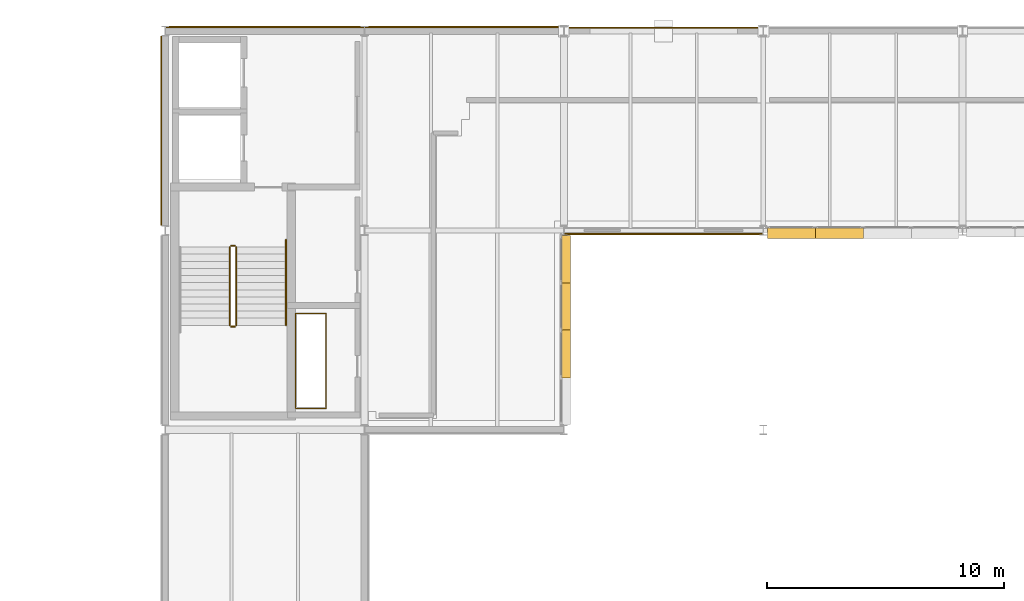
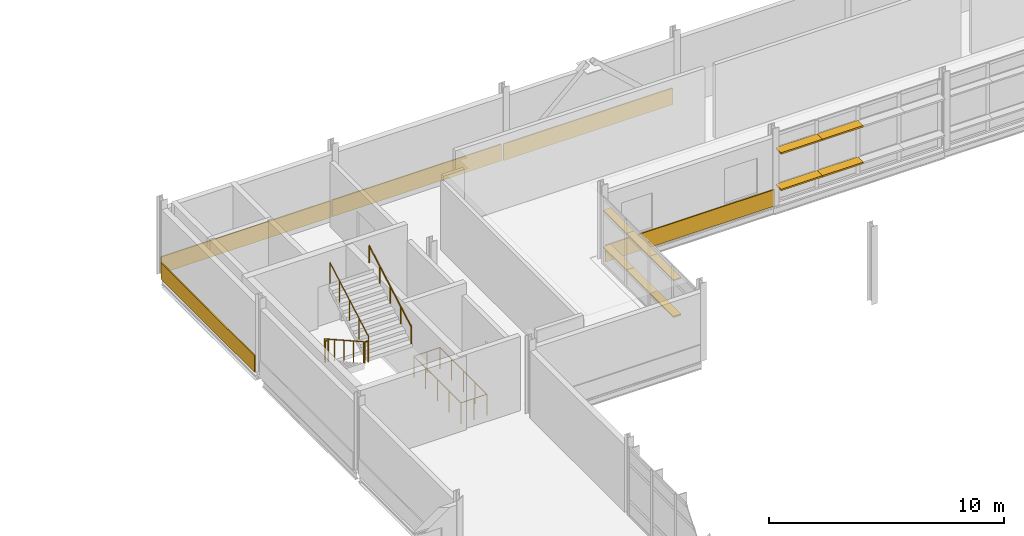
# One storey, part 94 of 103: 10 shading devices, 6 railings, 5 coverings.
"""IFC4 building model written with IfcOpenShell, lengths in metres."""

from ifc_helpers import new_model, si_unit, direction, frame, origin, origin_2d, place, context, subcontext, project, spatial, rectangle, circle, extrude, material, layer, layer_set, type_object, element, save


model = new_model("IFC4")

# Units and contexts
model_context = context("Model", 3, precision=1e-05, world=origin(), true_north=direction((0.0, 1.0)))
body_context = subcontext(model_context, "Body", "Model", "MODEL_VIEW")
ifc_project = project(units=[si_unit("LENGTHUNIT", "METRE"), si_unit("AREAUNIT", "SQUARE_METRE"), si_unit("VOLUMEUNIT", "CUBIC_METRE"), si_unit("PLANEANGLEUNIT", "RADIAN"), si_unit("MASSUNIT", "GRAM", prefix="KILO")], contexts=[model_context])

# Site, building, storey
site_placement = place(None, origin())
site = spatial("IfcSite", under=ifc_project, at=site_placement, CompositionType="ELEMENT")
building_placement = place(site_placement, origin())
building = spatial("IfcBuilding", under=site, at=building_placement, Name="Mersafa Astral City Hall", CompositionType="ELEMENT")
storey_placement = place(building_placement, frame((0.0, 0.0, 18.0)))
storey = spatial("IfcBuildingStorey", under=building, at=storey_placement, Name="L04", CompositionType="ELEMENT", Elevation=18.0)

# Coverings
ifc_material_1 = material(Name="Cairo Mokattam buff limestone cladding", Category="masonry")
ifc_layer = layer(ifc_material_1, 0.06005859375, Name="Cairo Mokattam buff limestone cladding")
ifc_layer_set = layer_set([ifc_layer], Name="Cairo Mokattam buff limestone cladding — ENV-COV-LIMESTONE-60")
covering_type = type_object("IfcCoveringType", Name="ENV-COV-LIMESTONE-60", PredefinedType="CLADDING", material=ifc_layer_set)
for number, where, z_axis, x_axis, name in (
    (1, (63.0, 126.139404296875, 0.0), (0.0, 0.0, 1.0), (-1.0, 0.0, 0.0), "L04 Cairo buff limestone rainscreen cladding 290"),
    (2, (54.60009765625, 126.177001953125, 0.0), (0.0, 0.0, 1.0), (-1.0, 0.0, 0.0), "L04 Cairo buff limestone rainscreen cladding 291"),
    (3, (46.199951171875, 126.16943359375, 0.0), (0.0, 0.0, 1.0), (-1.0, 0.0, 0.0), "L04 Cairo buff limestone rainscreen cladding 292"),
):
    element("IfcCovering", number, at=place(storey_placement, frame(where, z_axis=z_axis, x_axis=x_axis)), inside=storey, type_object=covering_type, Name=name, PredefinedType="CLADDING", context=body_context, shape_type="SweptSolid", body=[
        extrude(rectangle(XDim=8.323974609375, YDim=0.06005859375, at=origin_2d()), origin(), (0.0, 0.0, 1.0), 0.860107421875),
    ])
covering_1_placement = place(storey_placement, frame((41.837890625, 121.800048828125, 0.0), z_axis=(0.0, 0.0, 1.0), x_axis=(0.0, -1.0, 0.0)))
element("IfcCovering", 4, at=covering_1_placement, inside=storey, type_object=covering_type, Name="L04 Cairo buff limestone rainscreen cladding 293", PredefinedType="CLADDING", context=body_context, shape_type="SweptSolid", body=[
    extrude(rectangle(XDim=7.947998046875, YDim=0.06005859375, at=origin_2d()), origin(), (0.0, 0.0, 1.0), 0.860107421875),
])
covering_2_placement = place(storey_placement, frame((63.0, 117.452880859375, 0.0), z_axis=(0.0, 0.0, 1.0), x_axis=(1.0, 0.0, 0.0)))
element("IfcCovering", 5, at=covering_2_placement, inside=storey, type_object=covering_type, Name="L04 Cairo buff limestone rainscreen cladding 307", PredefinedType="CLADDING", context=body_context, shape_type="SweptSolid", body=[
    extrude(rectangle(XDim=8.323974609375, YDim=0.06005859375, at=origin_2d()), origin(), (0.0, 0.0, 1.0), 0.860107421875),
])

# Shading devices
ifc_material_2 = material(Name="Kiln-dried cedar timber brise-soleil blade", Category="wood")
shading_device_type_1 = type_object("IfcShadingDeviceType", Name="ENV-SHD-LOUVRE-380", PredefinedType="JALOUSIE", material=ifc_material_2)
for number, where, z_axis, x_axis, name in (
    (6, (58.8798828125, 112.403076171875, 0.81494140625), (0.0, 0.0, 1.0), (0.0, 1.0, 0.0), "L04 Horizontal cedar brise-soleil louvre 1282"),
    (7, (58.8798828125, 114.39697265625, 0.81494140625), (0.0, 0.0, 1.0), (0.0, 1.0, 0.0), "L04 Horizontal cedar brise-soleil louvre 1283"),
):
    element("IfcShadingDevice", number, at=place(storey_placement, frame(where, z_axis=z_axis, x_axis=x_axis)), inside=storey, type_object=shading_device_type_1, Name=name, PredefinedType="JALOUSIE", context=body_context, shape_type="SweptSolid", body=[
        extrude(rectangle(XDim=2.033935546875, YDim=0.3798828125, at=origin_2d()), origin(), (0.0, 0.0, 1.0), 0.070068359375),
    ])
shading_device_1_placement = place(storey_placement, frame((58.8798828125, 116.3759765625, 0.81494140625), z_axis=(0.0, 0.0, 1.0), x_axis=(0.0, 1.0, 0.0)))
element("IfcShadingDevice", 8, at=shading_device_1_placement, inside=storey, type_object=shading_device_type_1, Name="L04 Horizontal cedar brise-soleil louvre 1284", PredefinedType="JALOUSIE", context=body_context, shape_type="SweptSolid", body=[
    extrude(rectangle(XDim=2.00390625, YDim=0.3798828125, at=origin_2d()), origin(), (0.0, 0.0, 1.0), 0.070068359375),
])
for number, where, z_axis, x_axis, name in (
    (9, (58.8798828125, 112.403076171875, 2.71484375), (0.0, 0.0, 1.0), (0.0, 1.0, 0.0), "L04 Horizontal cedar brise-soleil louvre 1286"),
    (10, (58.8798828125, 114.39697265625, 2.71484375), (0.0, 0.0, 1.0), (0.0, 1.0, 0.0), "L04 Horizontal cedar brise-soleil louvre 1287"),
):
    element("IfcShadingDevice", number, at=place(storey_placement, frame(where, z_axis=z_axis, x_axis=x_axis)), inside=storey, type_object=shading_device_type_1, Name=name, PredefinedType="JALOUSIE", context=body_context, shape_type="SweptSolid", body=[
        extrude(rectangle(XDim=2.033935546875, YDim=0.3798828125, at=origin_2d()), origin(), (0.0, 0.0, 1.0), 0.070068359375),
    ])
shading_device_2_placement = place(storey_placement, frame((58.8798828125, 116.3759765625, 2.71484375), z_axis=(0.0, 0.0, 1.0), x_axis=(0.0, 1.0, 0.0)))
element("IfcShadingDevice", 11, at=shading_device_2_placement, inside=storey, type_object=shading_device_type_1, Name="L04 Horizontal cedar brise-soleil louvre 1288", PredefinedType="JALOUSIE", context=body_context, shape_type="SweptSolid", body=[
    extrude(rectangle(XDim=2.00390625, YDim=0.3798828125, at=origin_2d()), origin(), (0.0, 0.0, 1.0), 0.070068359375),
])
shading_device_type_2 = type_object("IfcShadingDeviceType", Name="ENV-SHD-LOUVRE-450", PredefinedType="JALOUSIE", material=ifc_material_2)
shading_device_3_placement = place(storey_placement, frame((68.386474609375, 117.485107421875, 0.81005859375), z_axis=(0.0, 0.0, 1.0), x_axis=(1.0, 0.0, 0.0)))
element("IfcShadingDevice", 12, at=shading_device_3_placement, inside=storey, type_object=shading_device_type_2, Name="L04 Horizontal cedar brise-soleil louvre 1289", PredefinedType="JALOUSIE", context=body_context, shape_type="SweptSolid", body=[
    extrude(rectangle(XDim=2.029052734375, YDim=0.449951171875, at=origin_2d()), origin(), (0.0, 0.0, 1.0), 0.080078125),
])
shading_device_4_placement = place(storey_placement, frame((70.390380859375, 117.485107421875, 0.81005859375), z_axis=(0.0, 0.0, 1.0), x_axis=(1.0, 0.0, 0.0)))
element("IfcShadingDevice", 13, at=shading_device_4_placement, inside=storey, type_object=shading_device_type_2, Name="L04 Horizontal cedar brise-soleil louvre 1290", PredefinedType="JALOUSIE", context=body_context, shape_type="SweptSolid", body=[
    extrude(rectangle(XDim=2.05908203125, YDim=0.449951171875, at=origin_2d()), origin(), (0.0, 0.0, 1.0), 0.080078125),
])
shading_device_5_placement = place(storey_placement, frame((68.386474609375, 117.485107421875, 2.7099609375), z_axis=(0.0, 0.0, 1.0), x_axis=(1.0, 0.0, 0.0)))
element("IfcShadingDevice", 14, at=shading_device_5_placement, inside=storey, type_object=shading_device_type_2, Name="L04 Horizontal cedar brise-soleil louvre 1293", PredefinedType="JALOUSIE", context=body_context, shape_type="SweptSolid", body=[
    extrude(rectangle(XDim=2.029052734375, YDim=0.449951171875, at=origin_2d()), origin(), (0.0, 0.0, 1.0), 0.080078125),
])
shading_device_6_placement = place(storey_placement, frame((70.390380859375, 117.485107421875, 2.7099609375), z_axis=(0.0, 0.0, 1.0), x_axis=(1.0, 0.0, 0.0)))
element("IfcShadingDevice", 15, at=shading_device_6_placement, inside=storey, type_object=shading_device_type_2, Name="L04 Horizontal cedar brise-soleil louvre 1294", PredefinedType="JALOUSIE", context=body_context, shape_type="SweptSolid", body=[
    extrude(rectangle(XDim=2.05908203125, YDim=0.449951171875, at=origin_2d()), origin(), (0.0, 0.0, 1.0), 0.080078125),
])

# Railings
ifc_material_3 = material(Name="Painted architectural steel stair guard balustrade", Category="steel")
railing_type_1 = type_object("IfcRailingType", Name="GUARD-RAIL", PredefinedType="BALUSTRADE", material=ifc_material_3)
railing_1_placement = place(storey_placement, frame((44.72998046875, 116.89990234375, 0.168701171875)))
element("IfcRailing", 16, at=railing_1_placement, inside=storey, type_object=railing_type_1, Name="L04 ST3 stair guard 1", PredefinedType="BALUSTRADE", context=body_context, shape_type="SweptSolid", body=[
    extrude(circle(Radius=0.02392578125, at=origin_2d()), frame((0.0, 0.0, 1.09619140625), z_axis=(0.0, -0.871568648517, 0.490273485845), x_axis=(1.0, 0.0, 0.0)), (0.0, 0.0, 1.0), 3.7861328125),
    extrude(circle(Radius=0.02099609375, at=origin_2d()), origin(), (0.0, 0.0, 1.0), 1.072021484375),
    extrude(circle(Radius=0.02099609375, at=origin_2d()), frame((0.0, -0.824951171875, 0.464111328125)), (0.0, 0.0, 1.0), 1.072021484375),
    extrude(circle(Radius=0.02099609375, at=origin_2d()), frame((0.0, -1.64990234375, 0.92822265625)), (0.0, 0.0, 1.0), 1.072021484375),
    extrude(circle(Radius=0.02099609375, at=origin_2d()), frame((0.0, -2.474853515625, 1.39208984375)), (0.0, 0.0, 1.0), 1.072021484375),
    extrude(circle(Radius=0.02099609375, at=origin_2d()), frame((0.0, -3.2998046875, 1.856201171875)), (0.0, 0.0, 1.0), 1.072021484375),
])
railing_2_placement = place(storey_placement, frame((44.780029296875, 113.550048828125, 2.02490234375)))
element("IfcRailing", 17, at=railing_2_placement, inside=storey, type_object=railing_type_1, Name="L04 ST3 stair guard 2", PredefinedType="BALUSTRADE", context=body_context, shape_type="SweptSolid", body=[
    extrude(circle(Radius=0.02392578125, at=origin_2d()), frame((0.0, 0.0, 1.09619140625), z_axis=(1.0, 0.0, 0.0), x_axis=(0.0, 1.0, 0.0)), (0.0, 0.0, 1.0), 0.159912109375),
    extrude(circle(Radius=0.02099609375, at=origin_2d()), origin(), (0.0, 0.0, 1.0), 1.072021484375),
    extrude(circle(Radius=0.02099609375, at=origin_2d()), frame((0.159912109375, 0.0, 0.0)), (0.0, 0.0, 1.0), 1.072021484375),
])
railing_3_placement = place(storey_placement, frame((44.989990234375, 113.60009765625, 2.19384765625)))
element("IfcRailing", 18, at=railing_3_placement, inside=storey, type_object=railing_type_1, Name="L04 ST3 stair guard 3", PredefinedType="BALUSTRADE", context=body_context, shape_type="SweptSolid", body=[
    extrude(circle(Radius=0.02392578125, at=origin_2d()), frame((0.0, 0.0, 1.09619140625), z_axis=(0.0, 0.871568648517, 0.490273485845), x_axis=(-1.0, 0.0, 0.0)), (0.0, 0.0, 1.0), 3.7861328125),
    extrude(circle(Radius=0.02099609375, at=origin_2d()), origin(), (0.0, 0.0, 1.0), 1.072021484375),
    extrude(circle(Radius=0.02099609375, at=origin_2d()), frame((0.0, 0.824951171875, 0.464111328125)), (0.0, 0.0, 1.0), 1.072021484375),
    extrude(circle(Radius=0.02099609375, at=origin_2d()), frame((0.0, 1.64990234375, 0.92822265625)), (0.0, 0.0, 1.0), 1.072021484375),
    extrude(circle(Radius=0.02099609375, at=origin_2d()), frame((0.0, 2.474853515625, 1.39208984375)), (0.0, 0.0, 1.0), 1.072021484375),
    extrude(circle(Radius=0.02099609375, at=origin_2d()), frame((0.0, 3.2998046875, 1.856201171875)), (0.0, 0.0, 1.0), 1.072021484375),
])
railing_4_placement = place(storey_placement, frame((44.780029296875, 116.949951171875, 0.0)))
element("IfcRailing", 19, at=railing_4_placement, inside=storey, type_object=railing_type_1, Name="L04 ST3 stair guard 4", PredefinedType="BALUSTRADE", context=body_context, shape_type="SweptSolid", body=[
    extrude(circle(Radius=0.02392578125, at=origin_2d()), frame((0.0, 0.0, 1.09619140625), z_axis=(1.0, 0.0, 0.0), x_axis=(0.0, 1.0, 0.0)), (0.0, 0.0, 1.0), 0.159912109375),
    extrude(circle(Radius=0.02099609375, at=origin_2d()), origin(), (0.0, 0.0, 1.0), 1.072021484375),
    extrude(circle(Radius=0.02099609375, at=origin_2d()), frame((0.159912109375, 0.0, 0.0)), (0.0, 0.0, 1.0), 1.072021484375),
])
railing_5_placement = place(storey_placement, frame((47.5, 110.10009765625, 0.0)))
element("IfcRailing", 20, at=railing_5_placement, inside=storey, type_object=railing_type_1, Name="L04 K3 MEP Riser Shaft Guard", PredefinedType="BALUSTRADE", context=body_context, shape_type="SweptSolid", body=[
    extrude(circle(Radius=0.02392578125, at=origin_2d()), frame((0.0, 0.0, 1.09619140625), z_axis=(1.0, 0.0, 0.0), x_axis=(0.0, 1.0, 0.0)), (0.0, 0.0, 1.0), 1.280029296875),
    extrude(circle(Radius=0.02392578125, at=origin_2d()), frame((1.280029296875, 0.0, 1.09619140625), z_axis=(0.0, 1.0, 0.0), x_axis=(-1.0, 0.0, 0.0)), (0.0, 0.0, 1.0), 4.0),
    extrude(circle(Radius=0.02392578125, at=origin_2d()), frame((1.280029296875, 4.0, 1.09619140625), z_axis=(-1.0, 0.0, 0.0), x_axis=(0.0, -1.0, 0.0)), (0.0, 0.0, 1.0), 1.280029296875),
    extrude(circle(Radius=0.02392578125, at=origin_2d()), frame((0.0, 4.0, 1.09619140625), z_axis=(0.0, -1.0, 0.0), x_axis=(1.0, 0.0, 0.0)), (0.0, 0.0, 1.0), 4.0),
    extrude(circle(Radius=0.02099609375, at=origin_2d()), origin(), (0.0, 0.0, 1.0), 1.072021484375),
    extrude(circle(Radius=0.02099609375, at=origin_2d()), frame((0.64013671875, 0.0, 0.0)), (0.0, 0.0, 1.0), 1.072021484375),
    extrude(circle(Radius=0.02099609375, at=origin_2d()), frame((1.280029296875, 0.0, 0.0)), (0.0, 0.0, 1.0), 1.072021484375),
    extrude(circle(Radius=0.02099609375, at=origin_2d()), frame((1.280029296875, 1.0, 0.0)), (0.0, 0.0, 1.0), 1.072021484375),
    extrude(circle(Radius=0.02099609375, at=origin_2d()), frame((1.280029296875, 2.0, 0.0)), (0.0, 0.0, 1.0), 1.072021484375),
    extrude(circle(Radius=0.02099609375, at=origin_2d()), frame((1.280029296875, 3.0, 0.0)), (0.0, 0.0, 1.0), 1.072021484375),
    extrude(circle(Radius=0.02099609375, at=origin_2d()), frame((1.280029296875, 4.0, 0.0)), (0.0, 0.0, 1.0), 1.072021484375),
    extrude(circle(Radius=0.02099609375, at=origin_2d()), frame((0.64013671875, 4.0, 0.0)), (0.0, 0.0, 1.0), 1.072021484375),
    extrude(circle(Radius=0.02099609375, at=origin_2d()), frame((0.0, 4.0, 0.0)), (0.0, 0.0, 1.0), 1.072021484375),
    extrude(circle(Radius=0.02099609375, at=origin_2d()), frame((0.0, 3.0, 0.0)), (0.0, 0.0, 1.0), 1.072021484375),
    extrude(circle(Radius=0.02099609375, at=origin_2d()), frame((0.0, 2.0, 0.0)), (0.0, 0.0, 1.0), 1.072021484375),
    extrude(circle(Radius=0.02099609375, at=origin_2d()), frame((0.0, 1.0, 0.0)), (0.0, 0.0, 1.0), 1.072021484375),
])
ifc_material_4 = material(Name="Brushed stainless steel tubular handrail", Category="steel")
railing_type_2 = type_object("IfcRailingType", Name="HANDRAIL", PredefinedType="HANDRAIL", material=ifc_material_4)
railing_6_placement = place(storey_placement, frame((47.090087890625, 113.60009765625, 2.19384765625)))
element("IfcRailing", 21, at=railing_6_placement, inside=storey, type_object=railing_type_2, Name="L04 ST3 stair handrail 2", PredefinedType="HANDRAIL", context=body_context, shape_type="SweptSolid", body=[
    extrude(circle(Radius=0.02392578125, at=origin_2d()), frame((0.0, 0.0, 0.8759765625), z_axis=(0.0, 0.871273963605, 0.490796984856), x_axis=(-1.0, 0.0, 0.0)), (0.0, 0.0, 1.0), 4.131591796875),
    extrude(circle(Radius=0.02099609375, at=origin_2d()), origin(), (0.0, 0.0, 1.0), 0.851806640625),
    extrude(circle(Radius=0.02099609375, at=origin_2d()), frame((0.0, 0.89990234375, 0.5068359375)), (0.0, 0.0, 1.0), 0.851806640625),
    extrude(circle(Radius=0.02099609375, at=origin_2d()), frame((0.0, 1.7998046875, 1.013916015625)), (0.0, 0.0, 1.0), 0.851806640625),
    extrude(circle(Radius=0.02099609375, at=origin_2d()), frame((0.0, 2.699951171875, 1.52099609375)), (0.0, 0.0, 1.0), 0.851806640625),
    extrude(circle(Radius=0.02099609375, at=origin_2d()), frame((0.0, 3.599853515625, 2.02783203125)), (0.0, 0.0, 1.0), 0.851806640625),
])

save(model, "model.ifc")
